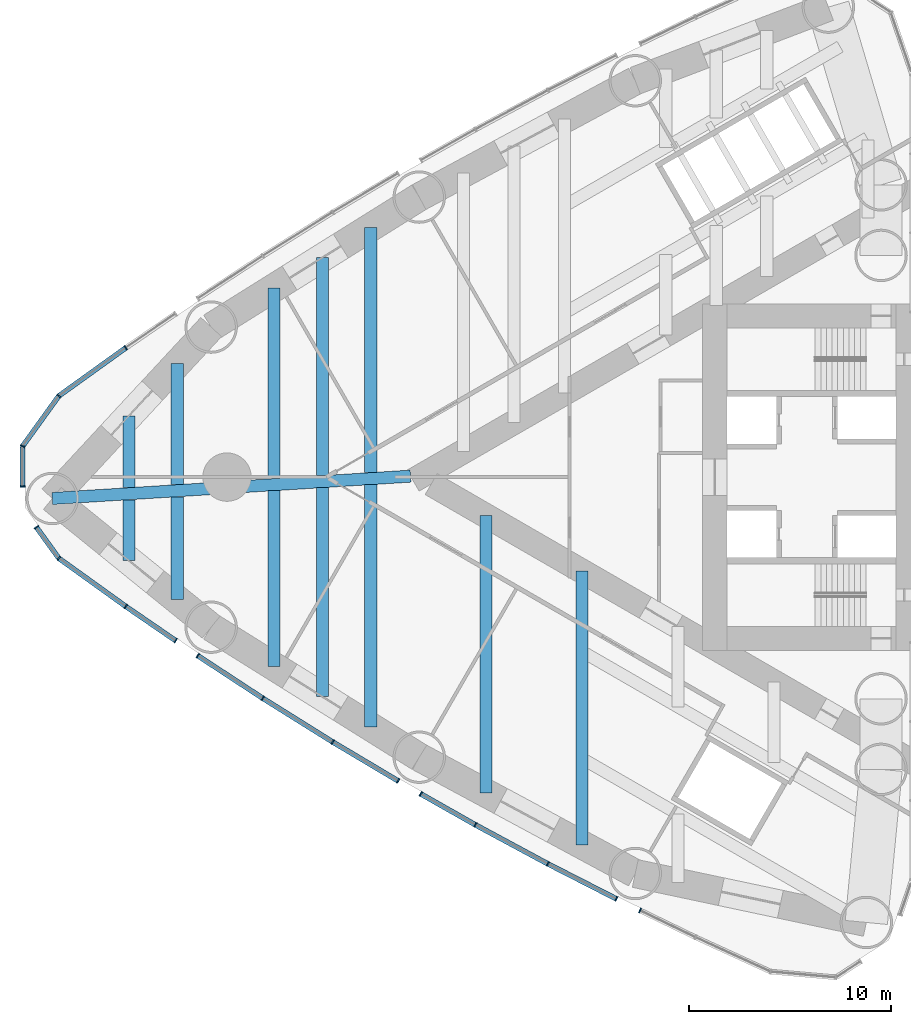
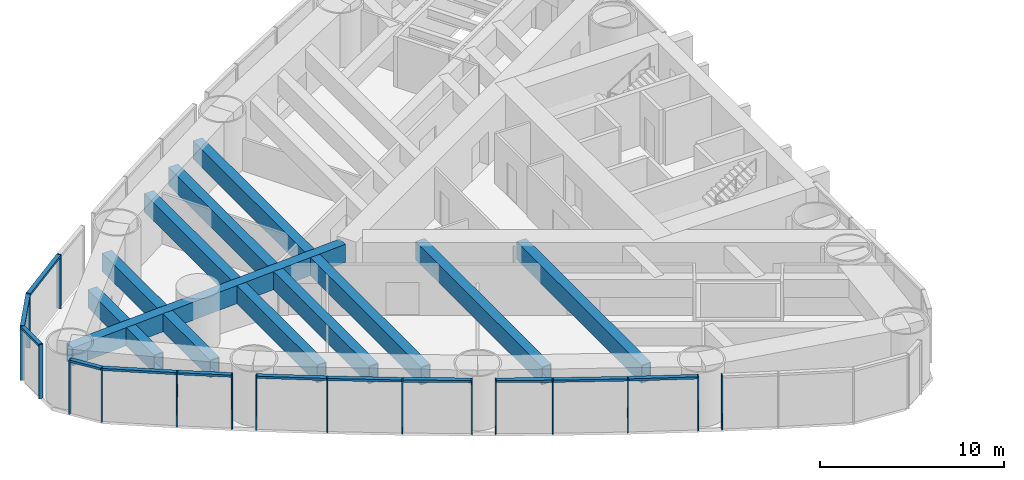
# One storey, part 2 of 16: 29 members, 13 beams, 5 elements without a shape of their own.
"""IFC4 building model written with IfcOpenShell, lengths in metres."""

from ifc_helpers import new_model, si_unit, direction, frame, origin, origin_2d, place, context, subcontext, project, spatial, rectangle, hollow_rectangle, extrude, material, material_profile, profile_set, type_object, element, aggregate, save


model = new_model("IFC4")

# Units and contexts
model_context = context("Model", 3, precision=1e-05, world=origin(), true_north=direction((0.0, 1.0)))
body_context = subcontext(model_context, "Body", "Model", "MODEL_VIEW")
ifc_project = project(units=[si_unit("LENGTHUNIT", "METRE"), si_unit("AREAUNIT", "SQUARE_METRE"), si_unit("VOLUMEUNIT", "CUBIC_METRE"), si_unit("PLANEANGLEUNIT", "RADIAN"), si_unit("MASSUNIT", "GRAM", prefix="KILO")], contexts=[model_context])

# Site, building, storey
site_placement = place(None, origin())
site = spatial("IfcSite", under=ifc_project, at=site_placement, CompositionType="ELEMENT")
building_placement = place(site_placement, origin())
building = spatial("IfcBuilding", under=site, at=building_placement, Name="Lancet Gate Hotel", CompositionType="ELEMENT")
storey_placement = place(building_placement, frame((0.0, 0.0, 143.10009765625)))
storey = spatial("IfcBuildingStorey", under=building, at=storey_placement, Name="L38", CompositionType="ELEMENT", Elevation=143.10009765625)

# Curtain wall, members
ifc_material_1 = material(Name="Aluminium curtain wall", Category="aluminium")
curtain_wall_type = type_object("IfcCurtainWallType", Name="Tower unitised curtain wall", PredefinedType="USERDEFINED", material=ifc_material_1)
curtain_wall_1_placement = place(storey_placement, origin())
curtain_wall_1 = element("IfcCurtainWall", 1, at=curtain_wall_1_placement, inside=storey, type_object=curtain_wall_type, Name="T1 L38 curtain wall 5", ObjectType="UNITISED CURTAIN WALL", PredefinedType="USERDEFINED")
ifc_material_2 = material(Name="Aluminium mullion", Category="aluminium")
ifc_material_profile_1 = material_profile(ifc_material_2, rectangle(XDim=0.06494140625, YDim=0.25, at=origin_2d()), Name="MULLION 65x250")
ifc_profile_set_1 = profile_set([ifc_material_profile_1], Name="Aluminium mullion")
member_type_1 = type_object("IfcMemberType", Name="Aluminium mullion 65x250", PredefinedType="MULLION", material=ifc_profile_set_1)
member_1_placement = place(storey_placement, frame((-66.5234375, 6.41650390625, 0.0), z_axis=(0.0, 0.0, 1.0), x_axis=(-0.817373224341, -0.576108507254, 0.0)))
member_1 = element("IfcMember", 2, at=member_1_placement, type_object=member_type_1, Name="T1 L38 curtain wall 5 mullion 2", PredefinedType="MULLION", context=body_context, shape_type="SweptSolid", body=[
    extrude(rectangle(XDim=0.06494140625, YDim=0.25, at=origin_2d()), origin(), (0.0, 0.0, 1.0), 3.599853515625),
])
member_2_placement = place(storey_placement, frame((-69.84619140625, 4.02880859375, 0.0), z_axis=(0.0, 0.0, 1.0), x_axis=(-0.723846229576, -0.6899613293, 0.0)))
member_2 = element("IfcMember", 3, at=member_2_placement, type_object=member_type_1, Name="T1 L38 curtain wall 5 mullion 3", PredefinedType="MULLION", context=body_context, shape_type="SweptSolid", body=[
    extrude(rectangle(XDim=0.06494140625, YDim=0.25, at=origin_2d()), origin(), (0.0, 0.0, 1.0), 3.599853515625),
])
member_3_placement = place(storey_placement, frame((-71.64306640625, 1.536376953125, 0.0), z_axis=(0.0, 0.0, 1.0), x_axis=(-0.370731512426, -0.928740085112, 0.0)))
member_3 = element("IfcMember", 4, at=member_3_placement, type_object=member_type_1, Name="T1 L38 curtain wall 5 mullion 4", PredefinedType="MULLION", context=body_context, shape_type="SweptSolid", body=[
    extrude(rectangle(XDim=0.06494140625, YDim=0.25, at=origin_2d()), origin(), (0.0, 0.0, 1.0), 3.599853515625),
])
member_4_placement = place(storey_placement, frame((-71.64306640625, -0.472900390625, 0.0), z_axis=(0.0, 0.0, 1.0), x_axis=(0.0, -1.0, 0.0)))
member_4 = element("IfcMember", 5, at=member_4_placement, type_object=member_type_1, Name="T1 L38 curtain wall 5 mullion 5", PredefinedType="MULLION", context=body_context, shape_type="SweptSolid", body=[
    extrude(rectangle(XDim=0.06494140625, YDim=0.25, at=origin_2d()), origin(), (0.0, 0.0, 1.0), 3.599853515625),
])

curtain_wall_2_placement = place(storey_placement, origin())
curtain_wall_2 = element("IfcCurtainWall", 6, at=curtain_wall_2_placement, inside=storey, type_object=curtain_wall_type, Name="T1 L38 curtain wall 6", ObjectType="UNITISED CURTAIN WALL", PredefinedType="USERDEFINED")
member_5_placement = place(storey_placement, frame((-70.958984375, -2.4853515625, 0.0), z_axis=(0.0, 0.0, 1.0), x_axis=(0.584808645706, -0.811171281486, 0.0)))
member_5 = element("IfcMember", 7, at=member_5_placement, type_object=member_type_1, Name="T1 L38 curtain wall 6 mullion 1", PredefinedType="MULLION", context=body_context, shape_type="SweptSolid", body=[
    extrude(rectangle(XDim=0.06494140625, YDim=0.25, at=origin_2d()), origin(), (0.0, 0.0, 1.0), 3.599853515625),
])
member_6_placement = place(storey_placement, frame((-69.84619140625, -4.02880859375, 0.0), z_axis=(0.0, 0.0, 1.0), x_axis=(0.748383342788, -0.663266441363, 0.0)))
member_6 = element("IfcMember", 8, at=member_6_placement, type_object=member_type_1, Name="T1 L38 curtain wall 6 mullion 2", PredefinedType="MULLION", context=body_context, shape_type="SweptSolid", body=[
    extrude(rectangle(XDim=0.06494140625, YDim=0.25, at=origin_2d()), origin(), (0.0, 0.0, 1.0), 3.599853515625),
])
member_7_placement = place(storey_placement, frame((-66.5234375, -6.41650390625, 0.0), z_axis=(0.0, 0.0, 1.0), x_axis=(0.817373224341, -0.576108507254, 0.0)))
member_7 = element("IfcMember", 9, at=member_7_placement, type_object=member_type_1, Name="T1 L38 curtain wall 6 mullion 3", PredefinedType="MULLION", context=body_context, shape_type="SweptSolid", body=[
    extrude(rectangle(XDim=0.06494140625, YDim=0.25, at=origin_2d()), origin(), (0.0, 0.0, 1.0), 3.599853515625),
])
member_8_placement = place(storey_placement, frame((-64.05029296875, -8.11376953125, 0.0), z_axis=(0.0, 0.0, 1.0), x_axis=(0.824466422775, -0.565910874357, 0.0)))
member_8 = element("IfcMember", 10, at=member_8_placement, type_object=member_type_1, Name="T1 L38 curtain wall 6 mullion 4", PredefinedType="MULLION", context=body_context, shape_type="SweptSolid", body=[
    extrude(rectangle(XDim=0.06494140625, YDim=0.25, at=origin_2d()), origin(), (0.0, 0.0, 1.0), 3.599853515625),
])

curtain_wall_3_placement = place(storey_placement, origin())
curtain_wall_3 = element("IfcCurtainWall", 11, at=curtain_wall_3_placement, inside=storey, type_object=curtain_wall_type, Name="T1 L38 curtain wall 7", ObjectType="UNITISED CURTAIN WALL", PredefinedType="USERDEFINED")
member_9_placement = place(storey_placement, frame((-62.955078125, -8.859619140625, 0.0), z_axis=(0.0, 0.0, 1.0), x_axis=(0.836457541791, -0.54803173337, 0.0)))
member_9 = element("IfcMember", 12, at=member_9_placement, type_object=member_type_1, Name="T1 L38 curtain wall 7 mullion 1", PredefinedType="MULLION", context=body_context, shape_type="SweptSolid", body=[
    extrude(rectangle(XDim=0.06494140625, YDim=0.25, at=origin_2d()), origin(), (0.0, 0.0, 1.0), 3.599853515625),
])
member_10_placement = place(storey_placement, frame((-59.7275390625, -10.974365234375, 0.0), z_axis=(0.0, 0.0, 1.0), x_axis=(0.842478010334, -0.538730732467, 0.0)))
member_10 = element("IfcMember", 13, at=member_10_placement, type_object=member_type_1, Name="T1 L38 curtain wall 7 mullion 2", PredefinedType="MULLION", context=body_context, shape_type="SweptSolid", body=[
    extrude(rectangle(XDim=0.06494140625, YDim=0.25, at=origin_2d()), origin(), (0.0, 0.0, 1.0), 3.599853515625),
])
member_11_placement = place(storey_placement, frame((-56.257568359375, -13.142333984375, 0.0), z_axis=(0.0, 0.0, 1.0), x_axis=(0.853491766052, -0.521106328192, 0.0)))
member_11 = element("IfcMember", 14, at=member_11_placement, type_object=member_type_1, Name="T1 L38 curtain wall 7 mullion 3", PredefinedType="MULLION", context=body_context, shape_type="SweptSolid", body=[
    extrude(rectangle(XDim=0.06494140625, YDim=0.25, at=origin_2d()), origin(), (0.0, 0.0, 1.0), 3.599853515625),
])
member_12_placement = place(storey_placement, frame((-53.01171875, -15.07470703125, 0.0), z_axis=(0.0, 0.0, 1.0), x_axis=(0.859271431916, -0.511519898238, 0.0)))
member_12 = element("IfcMember", 15, at=member_12_placement, type_object=member_type_1, Name="T1 L38 curtain wall 7 mullion 4", PredefinedType="MULLION", context=body_context, shape_type="SweptSolid", body=[
    extrude(rectangle(XDim=0.06494140625, YDim=0.25, at=origin_2d()), origin(), (0.0, 0.0, 1.0), 3.599853515625),
])

curtain_wall_4_placement = place(storey_placement, origin())
curtain_wall_4 = element("IfcCurtainWall", 16, at=curtain_wall_4_placement, inside=storey, type_object=curtain_wall_type, Name="T1 L38 curtain wall 8", ObjectType="UNITISED CURTAIN WALL", PredefinedType="USERDEFINED")
member_13_placement = place(storey_placement, frame((-51.887939453125, -15.718994140625, 0.0), z_axis=(0.0, 0.0, 1.0), x_axis=(0.870083629903, -0.49290412554, 0.0)))
member_13 = element("IfcMember", 17, at=member_13_placement, type_object=member_type_1, Name="T1 L38 curtain wall 8 mullion 1", PredefinedType="MULLION", context=body_context, shape_type="SweptSolid", body=[
    extrude(rectangle(XDim=0.06494140625, YDim=0.25, at=origin_2d()), origin(), (0.0, 0.0, 1.0), 3.599853515625),
])
member_14_placement = place(storey_placement, frame((-49.181640625, -17.252197265625, 0.0), z_axis=(0.0, 0.0, 1.0), x_axis=(0.87604701134, -0.482225708483, 0.0)))
member_14 = element("IfcMember", 18, at=member_14_placement, type_object=member_type_1, Name="T1 L38 curtain wall 8 mullion 2", PredefinedType="MULLION", context=body_context, shape_type="SweptSolid", body=[
    extrude(rectangle(XDim=0.06494140625, YDim=0.25, at=origin_2d()), origin(), (0.0, 0.0, 1.0), 3.599853515625),
])
member_15_placement = place(storey_placement, frame((-45.578857421875, -19.19189453125, 0.0), z_axis=(0.0, 0.0, 1.0), x_axis=(0.885368485126, -0.464889928418, 0.0)))
member_15 = element("IfcMember", 19, at=member_15_placement, type_object=member_type_1, Name="T1 L38 curtain wall 8 mullion 3", PredefinedType="MULLION", context=body_context, shape_type="SweptSolid", body=[
    extrude(rectangle(XDim=0.06494140625, YDim=0.25, at=origin_2d()), origin(), (0.0, 0.0, 1.0), 3.599853515625),
])
member_16_placement = place(storey_placement, frame((-42.182861328125, -20.927001953125, 0.0), z_axis=(0.0, 0.0, 1.0), x_axis=(0.890493479451, -0.45499600334, 0.0)))
member_16 = element("IfcMember", 20, at=member_16_placement, type_object=member_type_1, Name="T1 L38 curtain wall 8 mullion 4", PredefinedType="MULLION", context=body_context, shape_type="SweptSolid", body=[
    extrude(rectangle(XDim=0.06494140625, YDim=0.25, at=origin_2d()), origin(), (0.0, 0.0, 1.0), 3.599853515625),
])

# Curtain wall, member
curtain_wall_5_placement = place(storey_placement, origin())
curtain_wall_5 = element("IfcCurtainWall", 21, at=curtain_wall_5_placement, inside=storey, type_object=curtain_wall_type, Name="T1 L38 curtain wall 9", ObjectType="UNITISED CURTAIN WALL", PredefinedType="USERDEFINED")
member_17_placement = place(storey_placement, frame((-41.008056640625, -21.50244140625, 0.0), z_axis=(0.0, 0.0, 1.0), x_axis=(0.900081672047, -0.435721222395, 0.0)))
member_17 = element("IfcMember", 22, at=member_17_placement, type_object=member_type_1, Name="T1 L38 curtain wall 9 mullion 1", PredefinedType="MULLION", context=body_context, shape_type="SweptSolid", body=[
    extrude(rectangle(XDim=0.06494140625, YDim=0.25, at=origin_2d()), origin(), (0.0, 0.0, 1.0), 3.599853515625),
])
aggregate(curtain_wall_5, [member_17])

# Member
ifc_material_3 = material(Name="Aluminium transom", Category="aluminium")
ifc_material_profile_2 = material_profile(ifc_material_3, rectangle(XDim=0.25, YDim=0.14990234375, at=origin_2d()), Name="TRANSOM 250x150")
ifc_profile_set_2 = profile_set([ifc_material_profile_2], Name="Aluminium transom")
member_type_2 = type_object("IfcMemberType", Name="Aluminium transom 250x150", PredefinedType="USERDEFINED", material=ifc_profile_set_2)
member_18_placement = place(storey_placement, frame((-66.5498046875, 6.3974609375, 3.52490234375), z_axis=(-0.812099770796, -0.583518604908, 0.0), x_axis=(0.583518604908, -0.812099770796, 0.0)))
member_18 = element("IfcMember", 23, at=member_18_placement, type_object=member_type_2, Name="T1 L38 curtain wall 5 transom 2", ObjectType="TRANSOM", PredefinedType="USERDEFINED", context=body_context, shape_type="SweptSolid", body=[
    extrude(rectangle(XDim=0.25, YDim=0.14990234375, at=origin_2d()), origin(), (0.0, 0.0, 1.0), 4.026611328125),
])

member_19_placement = place(storey_placement, frame((-69.865234375, 4.00244140625, 3.52490234375), z_axis=(-0.584787911241, -0.81118622946, 0.0), x_axis=(0.81118622946, -0.584787911241, 0.0)))
member_19 = element("IfcMember", 24, at=member_19_placement, type_object=member_type_2, Name="T1 L38 curtain wall 5 transom 3", ObjectType="TRANSOM", PredefinedType="USERDEFINED", context=body_context, shape_type="SweptSolid", body=[
    extrude(rectangle(XDim=0.25, YDim=0.14990234375, at=origin_2d()), origin(), (0.0, 0.0, 1.0), 3.007568359375),
])

member_20_placement = place(storey_placement, frame((-71.64306640625, 1.50390625, 3.52490234375), z_axis=(0.0, -1.0, 0.0), x_axis=(1.0, 0.0, 0.0)))
member_20 = element("IfcMember", 25, at=member_20_placement, type_object=member_type_2, Name="T1 L38 curtain wall 5 transom 4", ObjectType="TRANSOM", PredefinedType="USERDEFINED", context=body_context, shape_type="SweptSolid", body=[
    extrude(rectangle(XDim=0.25, YDim=0.14990234375, at=origin_2d()), origin(), (0.0, 0.0, 1.0), 1.944091796875),
])

aggregate(curtain_wall_1, [member_1, member_2, member_3, member_4, member_18, member_19, member_20])

member_21_placement = place(storey_placement, frame((-70.93994140625, -2.51171875, 3.52490234375), z_axis=(0.584801575376, -0.811176378747, 0.0), x_axis=(0.811176378747, 0.584801575376, 0.0)))
member_21 = element("IfcMember", 26, at=member_21_placement, type_object=member_type_2, Name="T1 L38 curtain wall 6 transom 1", ObjectType="TRANSOM", PredefinedType="USERDEFINED", context=body_context, shape_type="SweptSolid", body=[
    extrude(rectangle(XDim=0.25, YDim=0.14990234375, at=origin_2d()), origin(), (0.0, 0.0, 1.0), 1.837646484375),
])

member_22_placement = place(storey_placement, frame((-69.81982421875, -4.0478515625, 3.52490234375), z_axis=(0.812099770796, -0.583518604908, 0.0), x_axis=(0.583518604908, 0.812099770796, 0.0)))
member_22 = element("IfcMember", 27, at=member_22_placement, type_object=member_type_2, Name="T1 L38 curtain wall 6 transom 2", ObjectType="TRANSOM", PredefinedType="USERDEFINED", context=body_context, shape_type="SweptSolid", body=[
    extrude(rectangle(XDim=0.25, YDim=0.14990234375, at=origin_2d()), origin(), (0.0, 0.0, 1.0), 4.026611328125),
])

member_23_placement = place(storey_placement, frame((-66.49658203125, -6.434814453125, 3.52490234375), z_axis=(0.824473774835, -0.565900163111, 0.0), x_axis=(0.565900163111, 0.824473774835, 0.0)))
member_23 = element("IfcMember", 28, at=member_23_placement, type_object=member_type_2, Name="T1 L38 curtain wall 6 transom 3", ObjectType="TRANSOM", PredefinedType="USERDEFINED", context=body_context, shape_type="SweptSolid", body=[
    extrude(rectangle(XDim=0.25, YDim=0.14990234375, at=origin_2d()), origin(), (0.0, 0.0, 1.0), 2.9345703125),
])

aggregate(curtain_wall_2, [member_5, member_6, member_7, member_8, member_21, member_22, member_23])

member_24_placement = place(storey_placement, frame((-62.927978515625, -8.87744140625, 3.52490234375), z_axis=(0.836459095123, -0.548029362522, 0.0), x_axis=(0.548029362522, 0.836459095123, 0.0)))
member_24 = element("IfcMember", 29, at=member_24_placement, type_object=member_type_2, Name="T1 L38 curtain wall 7 transom 1", ObjectType="TRANSOM", PredefinedType="USERDEFINED", context=body_context, shape_type="SweptSolid", body=[
    extrude(rectangle(XDim=0.25, YDim=0.14990234375, at=origin_2d()), origin(), (0.0, 0.0, 1.0), 3.793701171875),
])

member_25_placement = place(storey_placement, frame((-59.699951171875, -10.991455078125, 3.52490234375), z_axis=(0.848049393821, -0.529917187531, 0.0), x_axis=(0.529917187531, 0.848049393821, 0.0)))
member_25 = element("IfcMember", 30, at=member_25_placement, type_object=member_type_2, Name="T1 L38 curtain wall 7 transom 2", ObjectType="TRANSOM", PredefinedType="USERDEFINED", context=body_context, shape_type="SweptSolid", body=[
    extrude(rectangle(XDim=0.25, YDim=0.14990234375, at=origin_2d()), origin(), (0.0, 0.0, 1.0), 4.026611328125),
])

member_26_placement = place(storey_placement, frame((-56.2294921875, -13.1591796875, 3.52490234375), z_axis=(0.859274990737, -0.511513919941, 0.0), x_axis=(0.511513919941, 0.859274990737, 0.0)))
member_26 = element("IfcMember", 31, at=member_26_placement, type_object=member_type_2, Name="T1 L38 curtain wall 7 transom 3", ObjectType="TRANSOM", PredefinedType="USERDEFINED", context=body_context, shape_type="SweptSolid", body=[
    extrude(rectangle(XDim=0.25, YDim=0.14990234375, at=origin_2d()), origin(), (0.0, 0.0, 1.0), 3.71240234375),
])

aggregate(curtain_wall_3, [member_9, member_10, member_11, member_12, member_24, member_25, member_26])

member_27_placement = place(storey_placement, frame((-51.859619140625, -15.735107421875, 3.52490234375), z_axis=(0.870092098854, -0.492889175689, 0.0), x_axis=(0.492889175689, 0.870092098854, 0.0)))
member_27 = element("IfcMember", 32, at=member_27_placement, type_object=member_type_2, Name="T1 L38 curtain wall 8 transom 1", ObjectType="TRANSOM", PredefinedType="USERDEFINED", context=body_context, shape_type="SweptSolid", body=[
    extrude(rectangle(XDim=0.25, YDim=0.14990234375, at=origin_2d()), origin(), (0.0, 0.0, 1.0), 3.045166015625),
])

member_28_placement = place(storey_placement, frame((-49.153076171875, -17.267578125, 3.52490234375), z_axis=(0.880498353192, -0.474049206335, 0.0), x_axis=(0.474049206335, 0.880498353192, 0.0)))
member_28 = element("IfcMember", 33, at=member_28_placement, type_object=member_type_2, Name="T1 L38 curtain wall 8 transom 2", ObjectType="TRANSOM", PredefinedType="USERDEFINED", context=body_context, shape_type="SweptSolid", body=[
    extrude(rectangle(XDim=0.25, YDim=0.14990234375, at=origin_2d()), origin(), (0.0, 0.0, 1.0), 4.02685546875),
])

member_29_placement = place(storey_placement, frame((-45.550048828125, -19.20654296875, 3.52490234375), z_axis=(0.890485698611, -0.455011231256, 0.0), x_axis=(0.455011231256, 0.890485698611, 0.0)))
member_29 = element("IfcMember", 34, at=member_29_placement, type_object=member_type_2, Name="T1 L38 curtain wall 8 transom 3", ObjectType="TRANSOM", PredefinedType="USERDEFINED", context=body_context, shape_type="SweptSolid", body=[
    extrude(rectangle(XDim=0.25, YDim=0.14990234375, at=origin_2d()), origin(), (0.0, 0.0, 1.0), 3.7490234375),
])

aggregate(curtain_wall_4, [member_13, member_14, member_15, member_16, member_27, member_28, member_29])

# Beams
ifc_material_4 = material(Name="Steel S460QL", Category="steel")
ifc_material_profile_3 = material_profile(ifc_material_4, hollow_rectangle(XDim=0.60009765625, YDim=1.199951171875, WallThickness=0.050048828125, at=origin_2d()), Name="BOX 1200x600x50")
ifc_profile_set_3 = profile_set([ifc_material_profile_3], Name="Steel S460QL")
beam_type_1 = type_object("IfcBeamType", Name="Refuge floor beam BOX 1200x600x50", PredefinedType="BEAM", material=ifc_profile_set_3)
beam_1_placement = place(storey_placement, frame((-43.891357421875, -4.663330078125, 2.75), z_axis=(0.0, -1.0, 0.0), x_axis=(1.0, 0.0, 0.0)))
element("IfcBeam", 35, at=beam_1_placement, inside=storey, type_object=beam_type_1, Name="T1 floor beam F08N L38", PredefinedType="BEAM", context=body_context, shape_type="SweptSolid", body=[
    extrude(hollow_rectangle(XDim=0.60009765625, YDim=1.199951171875, WallThickness=0.050048828125, at=origin_2d()), origin(), (0.0, 0.0, 1.0), 13.57763671875),
])
beam_2_placement = place(storey_placement, frame((-48.66015625, -1.909912109375, 2.75), z_axis=(0.0, -1.0, 0.0), x_axis=(1.0, 0.0, 0.0)))
element("IfcBeam", 36, at=beam_2_placement, inside=storey, type_object=beam_type_1, Name="T1 floor beam F11N L38", PredefinedType="BEAM", context=body_context, shape_type="SweptSolid", body=[
    extrude(hollow_rectangle(XDim=0.60009765625, YDim=1.199951171875, WallThickness=0.050048828125, at=origin_2d()), origin(), (0.0, 0.0, 1.0), 13.763427734375),
])
beam_3_placement = place(storey_placement, frame((-54.3681640625, 12.392333984375, 2.75), z_axis=(0.0, -1.0, 0.0), x_axis=(1.0, 0.0, 0.0)))
element("IfcBeam", 37, at=beam_3_placement, inside=storey, type_object=beam_type_1, Name="T1 floor beam F13S L38", PredefinedType="BEAM", context=body_context, shape_type="SweptSolid", body=[
    extrude(hollow_rectangle(XDim=0.60009765625, YDim=1.199951171875, WallThickness=0.050048828125, at=origin_2d()), origin(), (0.0, 0.0, 1.0), 12.16650390625),
])
beam_4_placement = place(storey_placement, frame((-54.3681640625, -0.37548828125, 2.75), z_axis=(0.0, -1.0, 0.0), x_axis=(1.0, 0.0, 0.0)))
element("IfcBeam", 38, at=beam_4_placement, inside=storey, type_object=beam_type_1, Name="T1 floor beam F14N L38", PredefinedType="BEAM", context=body_context, shape_type="SweptSolid", body=[
    extrude(hollow_rectangle(XDim=0.60009765625, YDim=1.199951171875, WallThickness=0.050048828125, at=origin_2d()), origin(), (0.0, 0.0, 1.0), 12.016845703125),
])
beam_5_placement = place(storey_placement, frame((-56.768310546875, 10.892578125, 2.75), z_axis=(0.0, -1.0, 0.0), x_axis=(1.0, 0.0, 0.0)))
element("IfcBeam", 39, at=beam_5_placement, inside=storey, type_object=beam_type_1, Name="T1 floor beam F15S L38", PredefinedType="BEAM", context=body_context, shape_type="SweptSolid", body=[
    extrude(hollow_rectangle(XDim=0.60009765625, YDim=1.199951171875, WallThickness=0.050048828125, at=origin_2d()), origin(), (0.0, 0.0, 1.0), 10.81640625),
])
beam_6_placement = place(storey_placement, frame((-56.768310546875, -0.525146484375, 2.75), z_axis=(0.0, -1.0, 0.0), x_axis=(1.0, 0.0, 0.0)))
element("IfcBeam", 40, at=beam_6_placement, inside=storey, type_object=beam_type_1, Name="T1 floor beam F16N L38", PredefinedType="BEAM", context=body_context, shape_type="SweptSolid", body=[
    extrude(hollow_rectangle(XDim=0.60009765625, YDim=1.199951171875, WallThickness=0.050048828125, at=origin_2d()), origin(), (0.0, 0.0, 1.0), 10.367431640625),
])
beam_7_placement = place(storey_placement, frame((-59.168212890625, 9.39306640625, 2.75), z_axis=(0.0, -1.0, 0.0), x_axis=(1.0, 0.0, 0.0)))
element("IfcBeam", 41, at=beam_7_placement, inside=storey, type_object=beam_type_1, Name="T1 floor beam F17S L38", PredefinedType="BEAM", context=body_context, shape_type="SweptSolid", body=[
    extrude(hollow_rectangle(XDim=0.60009765625, YDim=1.199951171875, WallThickness=0.050048828125, at=origin_2d()), origin(), (0.0, 0.0, 1.0), 9.466552734375),
])
beam_8_placement = place(storey_placement, frame((-59.168212890625, -0.6748046875, 2.75), z_axis=(0.0, -1.0, 0.0), x_axis=(1.0, 0.0, 0.0)))
element("IfcBeam", 42, at=beam_8_placement, inside=storey, type_object=beam_type_1, Name="T1 floor beam F18N L38", PredefinedType="BEAM", context=body_context, shape_type="SweptSolid", body=[
    extrude(hollow_rectangle(XDim=0.60009765625, YDim=1.199951171875, WallThickness=0.050048828125, at=origin_2d()), origin(), (0.0, 0.0, 1.0), 8.71826171875),
])
beam_9_placement = place(storey_placement, frame((-63.96826171875, 5.6298828125, 2.75), z_axis=(0.0, -1.0, 0.0), x_axis=(1.0, 0.0, 0.0)))
element("IfcBeam", 43, at=beam_9_placement, inside=storey, type_object=beam_type_1, Name="T1 floor beam F19S L38", PredefinedType="BEAM", context=body_context, shape_type="SweptSolid", body=[
    extrude(hollow_rectangle(XDim=0.60009765625, YDim=1.199951171875, WallThickness=0.050048828125, at=origin_2d()), origin(), (0.0, 0.0, 1.0), 6.002685546875),
])
beam_10_placement = place(storey_placement, frame((-63.96826171875, -0.97412109375, 2.75), z_axis=(0.0, -1.0, 0.0), x_axis=(1.0, 0.0, 0.0)))
element("IfcBeam", 44, at=beam_10_placement, inside=storey, type_object=beam_type_1, Name="T1 floor beam F20N L38", PredefinedType="BEAM", context=body_context, shape_type="SweptSolid", body=[
    extrude(hollow_rectangle(XDim=0.60009765625, YDim=1.199951171875, WallThickness=0.050048828125, at=origin_2d()), origin(), (0.0, 0.0, 1.0), 5.108154296875),
])
beam_11_placement = place(storey_placement, frame((-66.3681640625, 3.040283203125, 2.75), z_axis=(0.0, -1.0, 0.0), x_axis=(1.0, 0.0, 0.0)))
element("IfcBeam", 45, at=beam_11_placement, inside=storey, type_object=beam_type_1, Name="T1 floor beam F21S L38", PredefinedType="BEAM", context=body_context, shape_type="SweptSolid", body=[
    extrude(hollow_rectangle(XDim=0.60009765625, YDim=1.199951171875, WallThickness=0.050048828125, at=origin_2d()), origin(), (0.0, 0.0, 1.0), 3.562744140625),
])
beam_12_placement = place(storey_placement, frame((-66.3681640625, -1.123779296875, 2.75), z_axis=(0.0, -1.0, 0.0), x_axis=(1.0, 0.0, 0.0)))
element("IfcBeam", 46, at=beam_12_placement, inside=storey, type_object=beam_type_1, Name="T1 floor beam F22N L38", PredefinedType="BEAM", context=body_context, shape_type="SweptSolid", body=[
    extrude(hollow_rectangle(XDim=0.60009765625, YDim=1.199951171875, WallThickness=0.050048828125, at=origin_2d()), origin(), (0.0, 0.0, 1.0), 3.014404296875),
])
ifc_material_5 = material(Name="Steel S460QL", Category="steel")
ifc_material_profile_4 = material_profile(ifc_material_5, hollow_rectangle(XDim=0.60009765625, YDim=1.199951171875, WallThickness=0.06005859375, at=origin_2d()), Name="BOX 1200x600x60")
ifc_profile_set_4 = profile_set([ifc_material_profile_4], Name="Steel S460QL")
beam_type_2 = type_object("IfcBeamType", Name="Refuge floor beam BOX 1200x600x60", PredefinedType="BEAM", material=ifc_profile_set_4)
beam_13_placement = place(storey_placement, frame((-70.16796875, -1.06005859375, 2.75), z_axis=(0.998061637313, 0.062233175423, 0.0), x_axis=(-0.062233175423, 0.998061637313, 0.0)))
element("IfcBeam", 47, at=beam_13_placement, inside=storey, type_object=beam_type_2, Name="T1 radial beam CA L38", PredefinedType="BEAM", context=body_context, shape_type="SweptSolid", body=[
    extrude(hollow_rectangle(XDim=0.60009765625, YDim=1.199951171875, WallThickness=0.06005859375, at=origin_2d()), origin(), (0.0, 0.0, 1.0), 17.806396484375),
])

save(model, "model.ifc")
